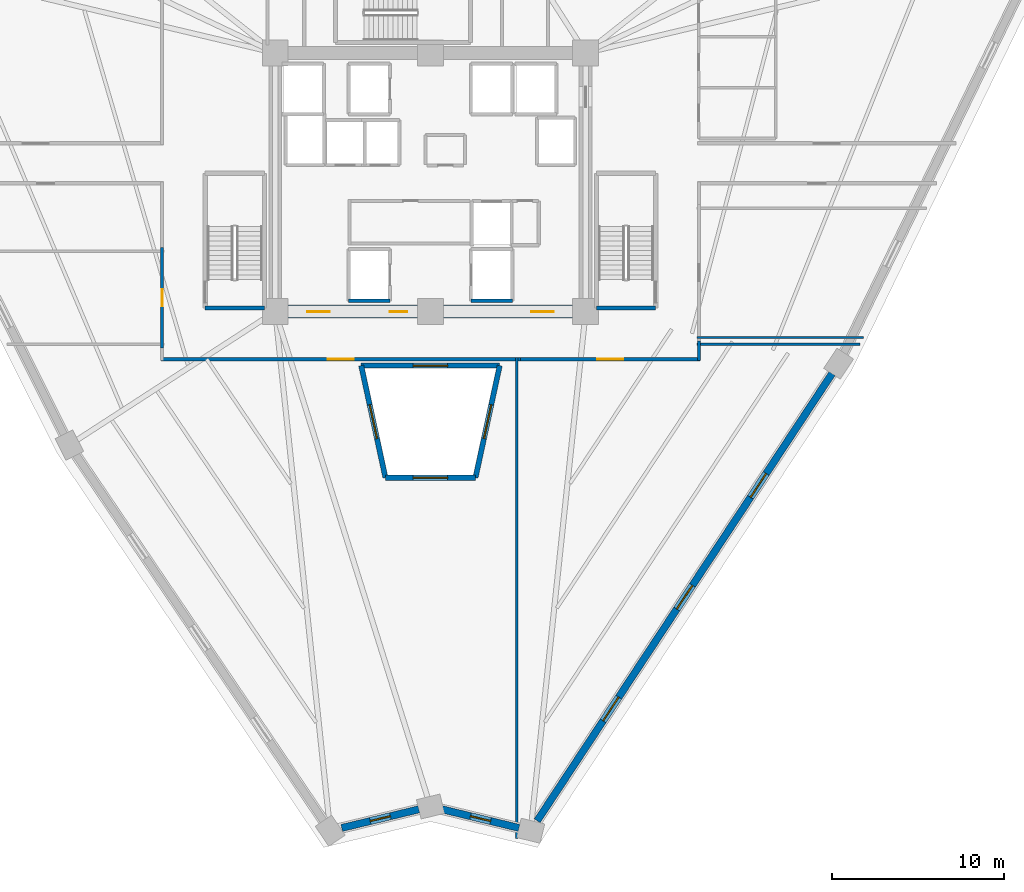
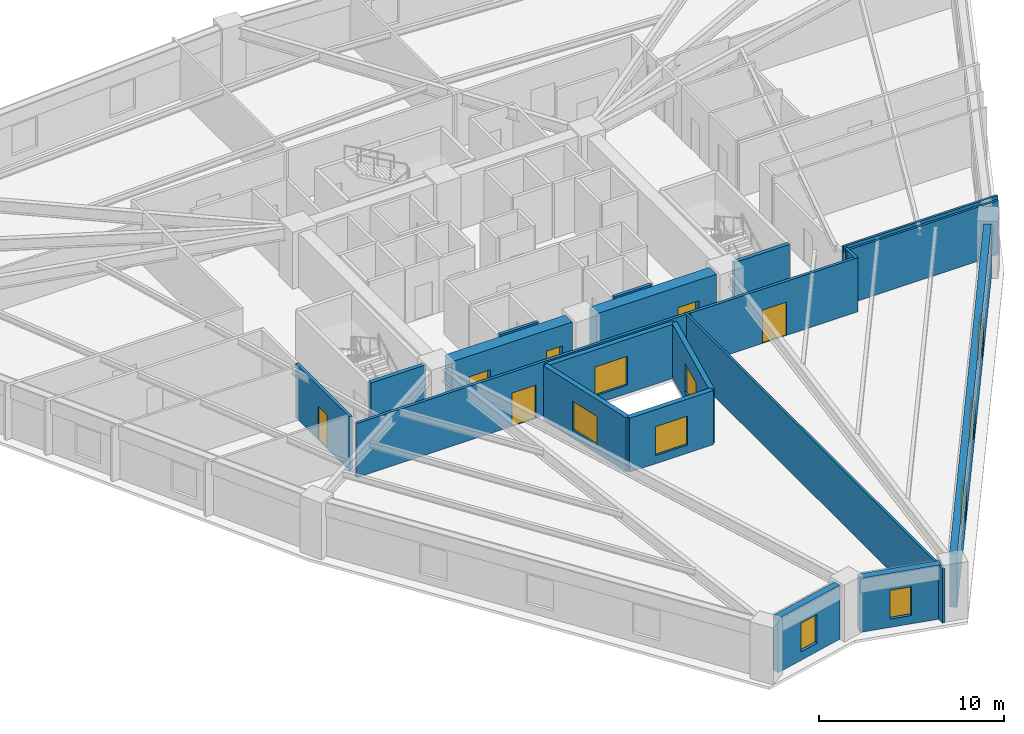
# One storey, part 3 of 8: 20 walls, 9 windows, 6 doors, 15 openings.
"""IFC4 building model written with IfcOpenShell, lengths in metres."""

from ifc_helpers import new_model, si_unit, direction, frame, frame_2d, origin, place, context, subcontext, project, spatial, rectangle, extrude, source, transform, mapped, material, layer, layer_set, type_object, element, fill, save


model = new_model("IFC4")

# Units and contexts
model_context = context("Model", 3, precision=1e-05, world=origin(), true_north=direction((0.0, 1.0)))
body_context = subcontext(model_context, "Body", "Model", "MODEL_VIEW")
ifc_project = project(units=[si_unit("LENGTHUNIT", "METRE"), si_unit("AREAUNIT", "SQUARE_METRE"), si_unit("VOLUMEUNIT", "CUBIC_METRE"), si_unit("PLANEANGLEUNIT", "RADIAN"), si_unit("MASSUNIT", "GRAM", prefix="KILO")], contexts=[model_context])

# Site, building, storey
site_placement = place(None, origin())
site = spatial("IfcSite", under=ifc_project, at=site_placement, CompositionType="ELEMENT")
building_placement = place(site_placement, origin())
building = spatial("IfcBuilding", under=site, at=building_placement, Name="Liaohun Quay Tower", CompositionType="ELEMENT")
storey_placement = place(building_placement, frame((0.0, 0.0, 147.75)))
storey = spatial("IfcBuildingStorey", under=building, at=storey_placement, Name="L38", CompositionType="ELEMENT", Elevation=147.75)

# Wall, opening, window
ifc_material_1 = material(Name="Concrete C50", Category="concrete")
ifc_layer_1 = layer(ifc_material_1, 0.300048828125, Name="Concrete C50", Category="concrete")
ifc_layer_set_1 = layer_set([ifc_layer_1], Name="Concrete C50")
wall_type_1 = type_object("IfcWallType", Name="WAL-ATR-300", PredefinedType="SOLIDWALL", material=ifc_layer_set_1)
wall_1_placement = place(storey_placement, frame((57.389892578125, 36.868896484375, 0.0), z_axis=(0.0, 0.0, 1.0), x_axis=(-0.21138112539, 0.97740371384, 0.0)))
wall_1 = element("IfcWall", 1, at=wall_1_placement, inside=storey, type_object=wall_type_1, Name="L38 Atrium Fire Compartment Wall 1", PredefinedType="SOLIDWALL", context=body_context, shape_type="SweptSolid", body=[
    extrude(rectangle(XDim=6.651611328125, YDim=0.300048828125, at=frame_2d((3.32568359375, 0.0))), origin(), (0.0, 0.0, 1.0), 3.570068359375),
])
shared_shape_1 = source(origin(), body_context, "Body", "SweptSolid", [
    extrude(rectangle(XDim=2.0, YDim=1.89990234375, at=frame_2d((1.0, 0.949951171875))), frame((0.0, 0.159912109375, 0.0), z_axis=(0.0, -1.0, 0.0), x_axis=(1.0, 0.0, 0.0)), (0.0, 0.0, 1.0), 0.320068359375),
])
opening_1_placement = place(wall_1_placement, frame((2.325927734375, 0.0, 0.550048828125)))
opening_1 = element("IfcOpeningElement", 2, at=opening_1_placement, cuts=wall_1, Name="Opening W07", PredefinedType="OPENING", context=body_context, shape_type="MappedRepresentation", body=[
    mapped(shared_shape_1, transform((0.0, 0.0, 0.0), x_axis=(1.0, 0.0, 0.0), y_axis=(0.0, 1.0, 0.0), z_axis=(0.0, 0.0, 1.0), scale=1.0)),
])
ifc_material_2 = material(Name="Class A 180-min fire-resistant insulated glazing", Category="glass")
window_type_1 = type_object("IfcWindowType", Name="WIN-ATR-FIR", PartitioningType="DOUBLE_PANEL_VERTICAL", PredefinedType="WINDOW", material=ifc_material_2)
shared_shape_2 = source(origin(), body_context, "Body", "SweptSolid", [
    extrude(rectangle(XDim=2.0, YDim=1.89990234375, at=frame_2d((1.0, 0.949951171875))), frame((0.0, 0.030029296875, 0.0), z_axis=(0.0, -1.0, 0.0), x_axis=(1.0, 0.0, 0.0)), (0.0, 0.0, 1.0), 0.06005859375),
])
window_1_placement = place(opening_1_placement, origin())
window_1 = element("IfcWindow", 3, at=window_1_placement, inside=storey, type_object=window_type_1, Name="L38 Atrium Fire-Resistant Glazing W07-1", OverallHeight=1.89990234375, OverallWidth=2.0, PartitioningType="DOUBLE_PANEL_VERTICAL", PredefinedType="WINDOW", context=body_context, shape_type="MappedRepresentation", body=[
    mapped(shared_shape_2, transform((0.0, 0.0, 0.0), x_axis=(1.0, 0.0, 0.0), y_axis=(0.0, 1.0, 0.0), z_axis=(0.0, 0.0, 1.0), scale=1.0)),
])
fill(opening_1, window_1)

wall_2_placement = place(storey_placement, frame((55.98388671875, 43.3701171875, 0.0), z_axis=(0.0, 0.0, 1.0), x_axis=(1.0, 0.0, 0.0)))
wall_2 = element("IfcWall", 4, at=wall_2_placement, inside=storey, type_object=wall_type_1, Name="L38 Atrium Fire Compartment Wall 2", PredefinedType="SOLIDWALL", context=body_context, shape_type="SweptSolid", body=[
    extrude(rectangle(XDim=8.0322265625, YDim=0.300048828125, at=frame_2d((4.01611328125, 0.0))), origin(), (0.0, 0.0, 1.0), 3.570068359375),
])
opening_2_placement = place(wall_2_placement, frame((3.01611328125, 0.0, 0.550048828125)))
opening_2 = element("IfcOpeningElement", 5, at=opening_2_placement, cuts=wall_2, Name="Opening W07", PredefinedType="OPENING", context=body_context, shape_type="MappedRepresentation", body=[
    mapped(shared_shape_1, transform((0.0, 0.0, 0.0), x_axis=(1.0, 0.0, 0.0), y_axis=(0.0, 1.0, 0.0), z_axis=(0.0, 0.0, 1.0), scale=1.0)),
])
window_2_placement = place(opening_2_placement, origin())
window_2 = element("IfcWindow", 6, at=window_2_placement, inside=storey, type_object=window_type_1, Name="L38 Atrium Fire-Resistant Glazing W07-2", OverallHeight=1.89990234375, OverallWidth=2.0, PartitioningType="DOUBLE_PANEL_VERTICAL", PredefinedType="WINDOW", context=body_context, shape_type="MappedRepresentation", body=[
    mapped(shared_shape_2, transform((0.0, 0.0, 0.0), x_axis=(1.0, 0.0, 0.0), y_axis=(0.0, 1.0, 0.0), z_axis=(0.0, 0.0, 1.0), scale=1.0)),
])
fill(opening_2, window_2)

wall_3_placement = place(storey_placement, frame((64.01611328125, 43.3701171875, 0.0), z_axis=(0.0, 0.0, 1.0), x_axis=(-0.21138112539, -0.97740371384, 0.0)))
wall_3 = element("IfcWall", 7, at=wall_3_placement, inside=storey, type_object=wall_type_1, Name="L38 Atrium Fire Compartment Wall 3", PredefinedType="SOLIDWALL", context=body_context, shape_type="SweptSolid", body=[
    extrude(rectangle(XDim=6.651611328125, YDim=0.300048828125, at=frame_2d((3.32568359375, 0.0))), origin(), (0.0, 0.0, 1.0), 3.570068359375),
])
opening_3_placement = place(wall_3_placement, frame((2.325927734375, 0.0, 0.550048828125)))
opening_3 = element("IfcOpeningElement", 8, at=opening_3_placement, cuts=wall_3, Name="Opening W07", PredefinedType="OPENING", context=body_context, shape_type="MappedRepresentation", body=[
    mapped(shared_shape_1, transform((0.0, 0.0, 0.0), x_axis=(1.0, 0.0, 0.0), y_axis=(0.0, 1.0, 0.0), z_axis=(0.0, 0.0, 1.0), scale=1.0)),
])
window_3_placement = place(opening_3_placement, origin())
window_3 = element("IfcWindow", 9, at=window_3_placement, inside=storey, type_object=window_type_1, Name="L38 Atrium Fire-Resistant Glazing W07-3", OverallHeight=1.89990234375, OverallWidth=2.0, PartitioningType="DOUBLE_PANEL_VERTICAL", PredefinedType="WINDOW", context=body_context, shape_type="MappedRepresentation", body=[
    mapped(shared_shape_2, transform((0.0, 0.0, 0.0), x_axis=(1.0, 0.0, 0.0), y_axis=(0.0, 1.0, 0.0), z_axis=(0.0, 0.0, 1.0), scale=1.0)),
])
fill(opening_3, window_3)

wall_4_placement = place(storey_placement, frame((62.610107421875, 36.868896484375, 0.0), z_axis=(0.0, 0.0, 1.0), x_axis=(-1.0, 0.0, 0.0)))
wall_4 = element("IfcWall", 10, at=wall_4_placement, inside=storey, type_object=wall_type_1, Name="L38 Atrium Fire Compartment Wall 4", PredefinedType="SOLIDWALL", context=body_context, shape_type="SweptSolid", body=[
    extrude(rectangle(XDim=5.22021484375, YDim=0.300048828125, at=frame_2d((2.610107421875, 0.0))), origin(), (0.0, 0.0, 1.0), 3.570068359375),
])
opening_4_placement = place(wall_4_placement, frame((1.610107421875, 0.0, 0.550048828125)))
opening_4 = element("IfcOpeningElement", 11, at=opening_4_placement, cuts=wall_4, Name="Opening W07", PredefinedType="OPENING", context=body_context, shape_type="MappedRepresentation", body=[
    mapped(shared_shape_1, transform((0.0, 0.0, 0.0), x_axis=(1.0, 0.0, 0.0), y_axis=(0.0, 1.0, 0.0), z_axis=(0.0, 0.0, 1.0), scale=1.0)),
])
window_4_placement = place(opening_4_placement, origin())
window_4 = element("IfcWindow", 12, at=window_4_placement, inside=storey, type_object=window_type_1, Name="L38 Atrium Fire-Resistant Glazing W07-4", OverallHeight=1.89990234375, OverallWidth=2.0, PartitioningType="DOUBLE_PANEL_VERTICAL", PredefinedType="WINDOW", context=body_context, shape_type="MappedRepresentation", body=[
    mapped(shared_shape_2, transform((0.0, 0.0, 0.0), x_axis=(1.0, 0.0, 0.0), y_axis=(0.0, 1.0, 0.0), z_axis=(0.0, 0.0, 1.0), scale=1.0)),
])
fill(opening_4, window_4)

# Wall, opening, door
ifc_material_3 = material(Name="Concrete C60", Category="concrete")
ifc_layer_2 = layer(ifc_material_3, 0.75, Name="Concrete C60", Category="concrete")
ifc_layer_set_2 = layer_set([ifc_layer_2], Name="Concrete C60")
wall_type_2 = type_object("IfcWallType", Name="WAL-COR-Z2", PredefinedType="SHEAR", material=ifc_layer_set_2)
wall_5_placement = place(storey_placement, frame((68.25, 46.5, 0.0), z_axis=(0.0, 0.0, 1.0), x_axis=(-1.0, 0.0, 0.0)))
wall_5 = element("IfcWall", 13, at=wall_5_placement, inside=storey, type_object=wall_type_2, Name="L38 Central Core Shear Wall S-E", PredefinedType="SHEAR", context=body_context, shape_type="SweptSolid", body=[
    extrude(rectangle(XDim=7.5, YDim=0.75, at=frame_2d((3.75, 0.0))), origin(), (0.0, 0.0, 1.0), 3.570068359375),
])
shared_shape_3 = source(origin(), body_context, "Body", "SweptSolid", [
    extrude(rectangle(XDim=1.300048828125, YDim=2.199951171875, at=frame_2d((0.64990234375, 1.10009765625))), frame((0.0, 0.385009765625, 0.0), z_axis=(0.0, -1.0, 0.0), x_axis=(1.0, 0.0, 0.0)), (0.0, 0.0, 1.0), 0.77001953125),
])
opening_5_placement = place(wall_5_placement, frame((1.10009765625, 0.0, 0.0)))
opening_5 = element("IfcOpeningElement", 14, at=opening_5_placement, cuts=wall_5, Name="Opening FD1", PredefinedType="OPENING", context=body_context, shape_type="MappedRepresentation", body=[
    mapped(shared_shape_3, transform((0.0, 0.0, 0.0), x_axis=(1.0, 0.0, 0.0), y_axis=(0.0, 1.0, 0.0), z_axis=(0.0, 0.0, 1.0), scale=1.0)),
])
ifc_material_4 = material(Name="Galvanised steel smokeproof fire door", Category="steel")
door_type_1 = type_object("IfcDoorType", Name="DOR-FFL-1300", OperationType="NOTDEFINED", PredefinedType="DOOR", material=ifc_material_4)
shared_shape_4 = source(origin(), body_context, "Body", "SweptSolid", [
    extrude(rectangle(XDim=1.300048828125, YDim=2.199951171875, at=frame_2d((0.64990234375, 1.10009765625))), frame((0.0, 0.02490234375, 0.0), z_axis=(0.0, -1.0, 0.0), x_axis=(1.0, 0.0, 0.0)), (0.0, 0.0, 1.0), 0.050048828125),
])
door_1_placement = place(opening_5_placement, origin())
door_1 = element("IfcDoor", 15, at=door_1_placement, inside=storey, type_object=door_type_1, Name="L38 East Core Lift Lobby Smokeproof Door", OperationType="SINGLE_SWING_LEFT", OverallHeight=2.199951171875, OverallWidth=1.300048828125, PredefinedType="DOOR", context=body_context, shape_type="MappedRepresentation", body=[
    mapped(shared_shape_4, transform((0.0, 0.0, 0.0), x_axis=(1.0, 0.0, 0.0), y_axis=(0.0, 1.0, 0.0), z_axis=(0.0, 0.0, 1.0), scale=1.0)),
])
fill(opening_5, door_1)

# Wall, openings, doors
wall_6_placement = place(storey_placement, frame((59.25, 46.5, 0.0), z_axis=(0.0, 0.0, 1.0), x_axis=(-1.0, 0.0, 0.0)))
wall_6 = element("IfcWall", 16, at=wall_6_placement, inside=storey, type_object=wall_type_2, Name="L38 Central Core Shear Wall S-W", PredefinedType="SHEAR", context=body_context, shape_type="SweptSolid", body=[
    extrude(rectangle(XDim=7.5, YDim=0.75, at=frame_2d((3.75, 0.0))), origin(), (0.0, 0.0, 1.0), 3.570068359375),
])
opening_6_placement = place(wall_6_placement, frame((5.10009765625, 0.0, 0.0)))
opening_6 = element("IfcOpeningElement", 17, at=opening_6_placement, cuts=wall_6, Name="Opening FD1", PredefinedType="OPENING", context=body_context, shape_type="MappedRepresentation", body=[
    mapped(shared_shape_3, transform((0.0, 0.0, 0.0), x_axis=(1.0, 0.0, 0.0), y_axis=(0.0, 1.0, 0.0), z_axis=(0.0, 0.0, 1.0), scale=1.0)),
])
shared_shape_5 = source(origin(), body_context, "Body", "SweptSolid", [
    extrude(rectangle(XDim=1.0, YDim=2.199951171875, at=frame_2d((0.5, 1.10009765625))), frame((0.0, 0.385009765625, 0.0), z_axis=(0.0, -1.0, 0.0), x_axis=(1.0, 0.0, 0.0)), (0.0, 0.0, 1.0), 0.77001953125),
])
opening_7_placement = place(wall_6_placement, frame((0.60009765625, 0.0, 0.0)))
opening_7 = element("IfcOpeningElement", 18, at=opening_7_placement, cuts=wall_6, Name="Opening FD2", PredefinedType="OPENING", context=body_context, shape_type="MappedRepresentation", body=[
    mapped(shared_shape_5, transform((0.0, 0.0, 0.0), x_axis=(1.0, 0.0, 0.0), y_axis=(0.0, 1.0, 0.0), z_axis=(0.0, 0.0, 1.0), scale=1.0)),
])
door_2_placement = place(opening_6_placement, origin())
door_2 = element("IfcDoor", 19, at=door_2_placement, inside=storey, type_object=door_type_1, Name="L38 West Core Lift Lobby Smokeproof Door", OperationType="SINGLE_SWING_RIGHT", OverallHeight=2.199951171875, OverallWidth=1.300048828125, PredefinedType="DOOR", context=body_context, shape_type="MappedRepresentation", body=[
    mapped(shared_shape_4, transform((0.0, 0.0, 0.0), x_axis=(1.0, 0.0, 0.0), y_axis=(0.0, 1.0, 0.0), z_axis=(0.0, 0.0, 1.0), scale=1.0)),
])
fill(opening_6, door_2)
ifc_material_5 = material(Name="Galvanised steel smokeproof lobby fire door", Category="steel")
door_type_2 = type_object("IfcDoorType", Name="DOR-FFL-1000", OperationType="NOTDEFINED", PredefinedType="DOOR", material=ifc_material_5)
shared_shape_6 = source(origin(), body_context, "Body", "SweptSolid", [
    extrude(rectangle(XDim=1.0, YDim=2.199951171875, at=frame_2d((0.5, 1.10009765625))), frame((0.0, 0.02490234375, 0.0), z_axis=(0.0, -1.0, 0.0), x_axis=(1.0, 0.0, 0.0)), (0.0, 0.0, 1.0), 0.050048828125),
])
door_3_placement = place(opening_7_placement, origin())
door_3 = element("IfcDoor", 20, at=door_3_placement, inside=storey, type_object=door_type_2, Name="L38 South Firefighting Lobby Smokeproof Door", OperationType="SINGLE_SWING_LEFT", OverallHeight=2.199951171875, OverallWidth=1.0, PredefinedType="DOOR", context=body_context, shape_type="MappedRepresentation", body=[
    mapped(shared_shape_6, transform((0.0, 0.0, 0.0), x_axis=(1.0, 0.0, 0.0), y_axis=(0.0, 1.0, 0.0), z_axis=(0.0, 0.0, 1.0), scale=1.0)),
])
fill(opening_7, door_3)

# Wall, opening, window
ifc_material_6 = material(Name="Precast concrete C50 insulated sandwich", Category="concrete")
ifc_layer_3 = layer(ifc_material_6, 0.419921875, Name="Precast concrete C50 insulated sandwich", Category="concrete")
ifc_layer_set_3 = layer_set([ifc_layer_3], Name="Precast concrete C50 insulated sandwich")
wall_type_3 = type_object("IfcWallType", Name="WAL-EXT-Z12", PredefinedType="SOLIDWALL", material=ifc_layer_set_3)
wall_7_placement = place(storey_placement, frame((60.6708984375, 17.639892578125, 0.0), z_axis=(0.0, 0.0, 1.0), x_axis=(0.972040399781, -0.234813673352, 0.0)))
wall_7 = element("IfcWall", 21, at=wall_7_placement, inside=storey, type_object=wall_type_3, Name="L38 Brutalist Precast Pier Wall 01", PredefinedType="SOLIDWALL", context=body_context, shape_type="SweptSolid", body=[
    extrude(rectangle(XDim=4.594482421875, YDim=0.419921875, at=frame_2d((2.29736328125, 0.0))), origin(), (0.0, 0.0, 1.0), 3.570068359375),
])
shared_shape_7 = source(origin(), body_context, "Body", "SweptSolid", [
    extrude(rectangle(XDim=1.199951171875, YDim=1.89990234375, at=frame_2d((0.60009765625, 0.949951171875))), frame((0.0, 0.219970703125, 0.0), z_axis=(0.0, -1.0, 0.0), x_axis=(1.0, 0.0, 0.0)), (0.0, 0.0, 1.0), 0.43994140625),
])
opening_8_placement = place(wall_7_placement, frame((1.697021484375, 0.0, 0.550048828125)))
opening_8 = element("IfcOpeningElement", 22, at=opening_8_placement, cuts=wall_7, Name="Opening W05", PredefinedType="OPENING", context=body_context, shape_type="MappedRepresentation", body=[
    mapped(shared_shape_7, transform((0.0, 0.0, 0.0), x_axis=(1.0, 0.0, 0.0), y_axis=(0.0, 1.0, 0.0), z_axis=(0.0, 0.0, 1.0), scale=1.0)),
])
ifc_material_7 = material(Name="Triple Low-E corner notch glazing", Category="glass")
window_type_2 = type_object("IfcWindowType", Name="WIN-NOTCH", PartitioningType="SINGLE_PANEL", PredefinedType="WINDOW", material=ifc_material_7)
shared_shape_8 = source(origin(), body_context, "Body", "SweptSolid", [
    extrude(rectangle(XDim=1.199951171875, YDim=1.89990234375, at=frame_2d((0.60009765625, 0.949951171875))), frame((0.0, 0.030029296875, 0.0), z_axis=(0.0, -1.0, 0.0), x_axis=(1.0, 0.0, 0.0)), (0.0, 0.0, 1.0), 0.06005859375),
])
window_5_placement = place(opening_8_placement, origin())
window_5 = element("IfcWindow", 23, at=window_5_placement, inside=storey, type_object=window_type_2, Name="L38 Corner Notch Window W05-01", OverallHeight=1.89990234375, OverallWidth=1.199951171875, PartitioningType="SINGLE_PANEL", PredefinedType="WINDOW", context=body_context, shape_type="MappedRepresentation", body=[
    mapped(shared_shape_8, transform((0.0, 0.0, 0.0), x_axis=(1.0, 0.0, 0.0), y_axis=(0.0, 1.0, 0.0), z_axis=(0.0, 0.0, 1.0), scale=1.0)),
])
fill(opening_8, window_5)

# Wall, openings, windows
wall_8_placement = place(storey_placement, frame((66.18798828125, 16.97509765625, 0.0), z_axis=(0.0, 0.0, 1.0), x_axis=(0.550486590195, 0.834844005797, 0.0)))
wall_8 = element("IfcWall", 24, at=wall_8_placement, inside=storey, type_object=wall_type_3, Name="L38 Brutalist Precast Pier Wall 02", PredefinedType="SOLIDWALL", context=body_context, shape_type="SweptSolid", body=[
    extrude(rectangle(XDim=31.0595703125, YDim=0.419921875, at=frame_2d((15.52978515625, 0.0))), origin(), (0.0, 0.0, 1.0), 3.570068359375),
])
shared_shape_9 = source(origin(), body_context, "Body", "SweptSolid", [
    extrude(rectangle(XDim=1.64990234375, YDim=1.949951171875, at=frame_2d((0.824951171875, 0.97509765625))), frame((0.0, 0.219970703125, 0.0), z_axis=(0.0, -1.0, 0.0), x_axis=(1.0, 0.0, 0.0)), (0.0, 0.0, 1.0), 0.43994140625),
])
opening_9_placement = place(wall_8_placement, frame((6.93994140625, 0.0, 0.550048828125)))
opening_9 = element("IfcOpeningElement", 25, at=opening_9_placement, cuts=wall_8, Name="Opening W02", PredefinedType="OPENING", context=body_context, shape_type="MappedRepresentation", body=[
    mapped(shared_shape_9, transform((0.0, 0.0, 0.0), x_axis=(1.0, 0.0, 0.0), y_axis=(0.0, 1.0, 0.0), z_axis=(0.0, 0.0, 1.0), scale=1.0)),
])
opening_10_placement = place(wall_8_placement, frame((14.705078125, 0.0, 0.550048828125)))
opening_10 = element("IfcOpeningElement", 26, at=opening_10_placement, cuts=wall_8, Name="Opening W02", PredefinedType="OPENING", context=body_context, shape_type="MappedRepresentation", body=[
    mapped(shared_shape_9, transform((0.0, 0.0, 0.0), x_axis=(1.0, 0.0, 0.0), y_axis=(0.0, 1.0, 0.0), z_axis=(0.0, 0.0, 1.0), scale=1.0)),
])
opening_11_placement = place(wall_8_placement, frame((22.469970703125, 0.0, 0.550048828125)))
opening_11 = element("IfcOpeningElement", 27, at=opening_11_placement, cuts=wall_8, Name="Opening W02", PredefinedType="OPENING", context=body_context, shape_type="MappedRepresentation", body=[
    mapped(shared_shape_9, transform((0.0, 0.0, 0.0), x_axis=(1.0, 0.0, 0.0), y_axis=(0.0, 1.0, 0.0), z_axis=(0.0, 0.0, 1.0), scale=1.0)),
])
ifc_material_8 = material(Name="Triple Low-E argon glazing in thermally broken aluminium", Category="aluminium")
window_type_3 = type_object("IfcWindowType", Name="WIN-PUN-Z2", PartitioningType="DOUBLE_PANEL_VERTICAL", PredefinedType="WINDOW", material=ifc_material_8)
shared_shape_10 = source(origin(), body_context, "Body", "SweptSolid", [
    extrude(rectangle(XDim=1.64990234375, YDim=1.949951171875, at=frame_2d((0.824951171875, 0.97509765625))), frame((0.0, 0.030029296875, 0.0), z_axis=(0.0, -1.0, 0.0), x_axis=(1.0, 0.0, 0.0)), (0.0, 0.0, 1.0), 0.06005859375),
])
window_6_placement = place(opening_9_placement, origin())
window_6 = element("IfcWindow", 28, at=window_6_placement, inside=storey, type_object=window_type_3, Name="L38 Recessed Cold-Climate Punched Window 02-1", OverallHeight=1.949951171875, OverallWidth=1.64990234375, PartitioningType="DOUBLE_PANEL_VERTICAL", PredefinedType="WINDOW", context=body_context, shape_type="MappedRepresentation", body=[
    mapped(shared_shape_10, transform((0.0, 0.0, 0.0), x_axis=(1.0, 0.0, 0.0), y_axis=(0.0, 1.0, 0.0), z_axis=(0.0, 0.0, 1.0), scale=1.0)),
])
fill(opening_9, window_6)
window_7_placement = place(opening_10_placement, origin())
window_7 = element("IfcWindow", 29, at=window_7_placement, inside=storey, type_object=window_type_3, Name="L38 Recessed Cold-Climate Punched Window 02-2", OverallHeight=1.949951171875, OverallWidth=1.64990234375, PartitioningType="DOUBLE_PANEL_VERTICAL", PredefinedType="WINDOW", context=body_context, shape_type="MappedRepresentation", body=[
    mapped(shared_shape_10, transform((0.0, 0.0, 0.0), x_axis=(1.0, 0.0, 0.0), y_axis=(0.0, 1.0, 0.0), z_axis=(0.0, 0.0, 1.0), scale=1.0)),
])
fill(opening_10, window_7)
window_8_placement = place(opening_11_placement, origin())
window_8 = element("IfcWindow", 30, at=window_8_placement, inside=storey, type_object=window_type_3, Name="L38 Recessed Cold-Climate Punched Window 02-3", OverallHeight=1.949951171875, OverallWidth=1.64990234375, PartitioningType="DOUBLE_PANEL_VERTICAL", PredefinedType="WINDOW", context=body_context, shape_type="MappedRepresentation", body=[
    mapped(shared_shape_10, transform((0.0, 0.0, 0.0), x_axis=(1.0, 0.0, 0.0), y_axis=(0.0, 1.0, 0.0), z_axis=(0.0, 0.0, 1.0), scale=1.0)),
])
fill(opening_11, window_8)

# Wall, opening, window
wall_9_placement = place(storey_placement, frame((54.85595703125, 16.56005859375, 0.0), z_axis=(0.0, 0.0, 1.0), x_axis=(0.972076783572, 0.234663006972, 0.0)))
wall_9 = element("IfcWall", 31, at=wall_9_placement, inside=storey, type_object=wall_type_3, Name="L38 Brutalist Precast Pier Wall 12", PredefinedType="SOLIDWALL", context=body_context, shape_type="SweptSolid", body=[
    extrude(rectangle(XDim=4.6015625, YDim=0.419921875, at=frame_2d((2.30078125, 0.0))), origin(), (0.0, 0.0, 1.0), 3.570068359375),
])
opening_12_placement = place(wall_9_placement, frame((1.700927734375, 0.0, 0.550048828125)))
opening_12 = element("IfcOpeningElement", 32, at=opening_12_placement, cuts=wall_9, Name="Opening W05", PredefinedType="OPENING", context=body_context, shape_type="MappedRepresentation", body=[
    mapped(shared_shape_7, transform((0.0, 0.0, 0.0), x_axis=(1.0, 0.0, 0.0), y_axis=(0.0, 1.0, 0.0), z_axis=(0.0, 0.0, 1.0), scale=1.0)),
])
window_9_placement = place(opening_12_placement, origin())
window_9 = element("IfcWindow", 33, at=window_9_placement, inside=storey, type_object=window_type_2, Name="L38 Corner Notch Window W05-12", OverallHeight=1.89990234375, OverallWidth=1.199951171875, PartitioningType="SINGLE_PANEL", PredefinedType="WINDOW", context=body_context, shape_type="MappedRepresentation", body=[
    mapped(shared_shape_8, transform((0.0, 0.0, 0.0), x_axis=(1.0, 0.0, 0.0), y_axis=(0.0, 1.0, 0.0), z_axis=(0.0, 0.0, 1.0), scale=1.0)),
])
fill(opening_12, window_9)

# Wall, opening, door
ifc_material_9 = material(Name="Autoclaved aerated concrete blockwork", Category="masonry")
ifc_layer_4 = layer(ifc_material_9, 0.179931640625, Name="Autoclaved aerated concrete blockwork", Category="masonry")
ifc_layer_set_4 = layer_set([ifc_layer_4], Name="Autoclaved aerated concrete blockwork")
wall_type_4 = type_object("IfcWallType", Name="WAL-PRT-COR", PredefinedType="PARTITIONING", material=ifc_layer_set_4)
wall_10_placement = place(storey_placement, frame((44.43994140625, 44.385009765625, 0.0), z_axis=(0.0, 0.0, 1.0), x_axis=(0.0, 1.0, 0.0)))
wall_10 = element("IfcWall", 34, at=wall_10_placement, inside=storey, type_object=wall_type_4, Name="L38 Interior Partition Wall 017", PredefinedType="PARTITIONING", context=body_context, shape_type="SweptSolid", body=[
    extrude(rectangle(XDim=5.830078125, YDim=0.179931640625, at=frame_2d((2.9150390625, 0.0))), origin(), (0.0, 0.0, 1.0), 3.570068359375),
])
shared_shape_11 = source(origin(), body_context, "Body", "SweptSolid", [
    extrude(rectangle(XDim=1.0, YDim=2.199951171875, at=frame_2d((0.5, 1.10009765625))), frame((0.0, 0.099853515625, 0.0), z_axis=(0.0, -1.0, 0.0), x_axis=(1.0, 0.0, 0.0)), (0.0, 0.0, 1.0), 0.199951171875),
])
opening_13_placement = place(wall_10_placement, frame((2.4150390625, 0.0, 0.0)))
opening_13 = element("IfcOpeningElement", 35, at=opening_13_placement, cuts=wall_10, Name="Opening OD1", PredefinedType="OPENING", context=body_context, shape_type="MappedRepresentation", body=[
    mapped(shared_shape_11, transform((0.0, 0.0, 0.0), x_axis=(1.0, 0.0, 0.0), y_axis=(0.0, 1.0, 0.0), z_axis=(0.0, 0.0, 1.0), scale=1.0)),
])
ifc_material_10 = material(Name="Solid-core oak veneer timber leaf in steel frame", Category="steel")
door_type_3 = type_object("IfcDoorType", Name="DOR-OFF-1000", OperationType="NOTDEFINED", PredefinedType="DOOR", material=ifc_material_10)
door_4_placement = place(opening_13_placement, origin())
door_4 = element("IfcDoor", 36, at=door_4_placement, inside=storey, type_object=door_type_3, Name="L38 Technical Reference Library 07 Door", OperationType="SINGLE_SWING_LEFT", OverallHeight=2.199951171875, OverallWidth=1.0, PredefinedType="DOOR", context=body_context, shape_type="MappedRepresentation", body=[
    mapped(shared_shape_6, transform((0.0, 0.0, 0.0), x_axis=(1.0, 0.0, 0.0), y_axis=(0.0, 1.0, 0.0), z_axis=(0.0, 0.0, 1.0), scale=1.0)),
])
fill(opening_13, door_4)

wall_11_placement = place(storey_placement, frame((65.215087890625, 43.739990234375, 0.0), z_axis=(0.0, 0.0, 1.0), x_axis=(-1.0, 0.0, 0.0)))
wall_11 = element("IfcWall", 37, at=wall_11_placement, inside=storey, type_object=wall_type_4, Name="L38 Interior Partition Wall 018", PredefinedType="PARTITIONING", context=body_context, shape_type="SweptSolid", body=[
    extrude(rectangle(XDim=20.844970703125, YDim=0.179931640625, at=frame_2d((10.42236328125, 0.0))), origin(), (0.0, 0.0, 1.0), 3.570068359375),
])
shared_shape_12 = source(origin(), body_context, "Body", "SweptSolid", [
    extrude(rectangle(XDim=1.5, YDim=2.199951171875, at=frame_2d((0.75, 1.10009765625))), frame((0.0, 0.099853515625, 0.0), z_axis=(0.0, -1.0, 0.0), x_axis=(1.0, 0.0, 0.0)), (0.0, 0.0, 1.0), 0.199951171875),
])
opening_14_placement = place(wall_11_placement, frame((9.673095703125, 0.0, 0.0)))
opening_14 = element("IfcOpeningElement", 38, at=opening_14_placement, cuts=wall_11, Name="Opening OD2", PredefinedType="OPENING", context=body_context, shape_type="MappedRepresentation", body=[
    mapped(shared_shape_12, transform((0.0, 0.0, 0.0), x_axis=(1.0, 0.0, 0.0), y_axis=(0.0, 1.0, 0.0), z_axis=(0.0, 0.0, 1.0), scale=1.0)),
])
ifc_material_11 = material(Name="Acoustic oak veneer double door")
door_type_4 = type_object("IfcDoorType", Name="DOR-OFF-1500", OperationType="DOUBLE_DOOR_SINGLE_SWING", PredefinedType="DOOR", material=ifc_material_11)
shared_shape_13 = source(origin(), body_context, "Body", "SweptSolid", [
    extrude(rectangle(XDim=1.5, YDim=2.199951171875, at=frame_2d((0.75, 1.10009765625))), frame((0.0, 0.02490234375, 0.0), z_axis=(0.0, -1.0, 0.0), x_axis=(1.0, 0.0, 0.0)), (0.0, 0.0, 1.0), 0.050048828125),
])
door_5_placement = place(opening_14_placement, origin())
door_5 = element("IfcDoor", 39, at=door_5_placement, inside=storey, type_object=door_type_4, Name="L38 Occupational Wellness Clinic 08 Door", OperationType="DOUBLE_DOOR_SINGLE_SWING", OverallHeight=2.199951171875, OverallWidth=1.5, PredefinedType="DOOR", context=body_context, shape_type="MappedRepresentation", body=[
    mapped(shared_shape_13, transform((0.0, 0.0, 0.0), x_axis=(1.0, 0.0, 0.0), y_axis=(0.0, 1.0, 0.0), z_axis=(0.0, 0.0, 1.0), scale=1.0)),
])
fill(opening_14, door_5)

wall_12_placement = place(storey_placement, frame((75.6298828125, 43.739990234375, 0.0), z_axis=(0.0, 0.0, 1.0), x_axis=(-1.0, 0.0, 0.0)))
wall_12 = element("IfcWall", 40, at=wall_12_placement, inside=storey, type_object=wall_type_4, Name="L38 Interior Partition Wall 019", PredefinedType="PARTITIONING", context=body_context, shape_type="SweptSolid", body=[
    extrude(rectangle(XDim=10.414794921875, YDim=0.179931640625, at=frame_2d((5.20751953125, 0.0))), origin(), (0.0, 0.0, 1.0), 3.570068359375),
])
opening_15_placement = place(wall_12_placement, frame((4.45703125, 0.0, 0.0)))
opening_15 = element("IfcOpeningElement", 41, at=opening_15_placement, cuts=wall_12, Name="Opening OD2", PredefinedType="OPENING", context=body_context, shape_type="MappedRepresentation", body=[
    mapped(shared_shape_12, transform((0.0, 0.0, 0.0), x_axis=(1.0, 0.0, 0.0), y_axis=(0.0, 1.0, 0.0), z_axis=(0.0, 0.0, 1.0), scale=1.0)),
])
door_6_placement = place(opening_15_placement, origin())
door_6 = element("IfcDoor", 42, at=door_6_placement, inside=storey, type_object=door_type_4, Name="L38 Records Archive Store 09 Door", OperationType="DOUBLE_DOOR_SINGLE_SWING", OverallHeight=2.199951171875, OverallWidth=1.5, PredefinedType="DOOR", context=body_context, shape_type="MappedRepresentation", body=[
    mapped(shared_shape_13, transform((0.0, 0.0, 0.0), x_axis=(1.0, 0.0, 0.0), y_axis=(0.0, 1.0, 0.0), z_axis=(0.0, 0.0, 1.0), scale=1.0)),
])
fill(opening_15, door_6)

# Walls
wall_13_placement = place(storey_placement, frame((75.56005859375, 44.784912109375, 0.0), z_axis=(0.0, 0.0, 1.0), x_axis=(0.0, -1.0, 0.0)))
element("IfcWall", 43, at=wall_13_placement, inside=storey, type_object=wall_type_4, Name="L38 Interior Partition Wall 042", PredefinedType="PARTITIONING", context=body_context, shape_type="SweptSolid", body=[
    extrude(rectangle(XDim=1.114990234375, YDim=0.179931640625, at=frame_2d((0.5576171875, 0.0))), origin(), (0.0, 0.0, 1.0), 3.570068359375),
])
ifc_material_12 = material(Name="Gypsum board on twin steel studs", Category="steel")
ifc_layer_5 = layer(ifc_material_12, 0.139892578125, Name="Gypsum board on twin steel studs", Category="steel")
ifc_layer_set_5 = layer_set([ifc_layer_5], Name="Gypsum board on twin steel studs")
wall_type_5 = type_object("IfcWallType", Name="WAL-PRT-OFF", PredefinedType="PARTITIONING", material=ifc_layer_set_5)
wall_14_placement = place(storey_placement, frame((75.4599609375, 44.60009765625, 0.0), z_axis=(0.0, 0.0, 1.0), x_axis=(1.0, 0.0, 0.0)))
element("IfcWall", 44, at=wall_14_placement, inside=storey, type_object=wall_type_5, Name="L38 Interior Partition Wall 047", PredefinedType="PARTITIONING", context=body_context, shape_type="SweptSolid", body=[
    extrude(rectangle(XDim=9.450927734375, YDim=0.139892578125, at=frame_2d((4.7255859375, 0.0))), origin(), (0.0, 0.0, 1.0), 3.570068359375),
])
wall_15_placement = place(storey_placement, frame((75.4599609375, 45.0, 0.0), z_axis=(0.0, 0.0, 1.0), x_axis=(1.0, 0.0, 0.0)))
element("IfcWall", 45, at=wall_15_placement, inside=storey, type_object=wall_type_5, Name="L38 Interior Partition Wall 048", PredefinedType="PARTITIONING", context=body_context, shape_type="SweptSolid", body=[
    extrude(rectangle(XDim=9.64501953125, YDim=0.139892578125, at=frame_2d((4.822509765625, 0.0))), origin(), (0.0, 0.0, 1.0), 3.570068359375),
])
wall_16_placement = place(storey_placement, frame((65.0, 43.840087890625, 0.0), z_axis=(0.0, 0.0, 1.0), x_axis=(0.0, -1.0, 0.0)))
element("IfcWall", 46, at=wall_16_placement, inside=storey, type_object=wall_type_5, Name="L38 Interior Partition Wall 053", PredefinedType="PARTITIONING", context=body_context, shape_type="SweptSolid", body=[
    extrude(rectangle(XDim=27.89306640625, YDim=0.139892578125, at=frame_2d((13.946533203125, 0.0))), origin(), (0.0, 0.0, 1.0), 3.570068359375),
])
ifc_layer_6 = layer(ifc_material_1, 0.239990234375, Name="Concrete C50", Category="concrete")
ifc_layer_set_6 = layer_set([ifc_layer_6], Name="Concrete C50")
wall_type_6 = type_object("IfcWallType", Name="WAL-SHF-200", PredefinedType="SOLIDWALL", material=ifc_layer_set_6)
for number, where, z_axis, x_axis, name in (
    (47, (46.93994140625, 46.699951171875, 0.0), (0.0, 0.0, 1.0), (1.0, 0.0, 0.0), "L38 Stairwell ST-1 Structural Core Wall S"),
    (48, (69.6201171875, 46.699951171875, 0.0), (0.0, 0.0, 1.0), (1.0, 0.0, 0.0), "L38 Stairwell ST-2 Structural Core Wall S"),
):
    element("IfcWall", number, at=place(storey_placement, frame(where, z_axis=z_axis, x_axis=x_axis)), inside=storey, type_object=wall_type_6, Name=name, PredefinedType="SOLIDWALL", context=body_context, shape_type="SweptSolid", body=[
        extrude(rectangle(XDim=3.43994140625, YDim=0.239990234375, at=frame_2d((1.719970703125, 0.0))), origin(), (0.0, 0.0, 1.0), 3.570068359375),
    ])
for number, where, z_axis, x_axis, name in (
    (49, (55.25, 47.1201171875, 0.0), (0.0, 0.0, 1.0), (1.0, 0.0, 0.0), "L38 Lift FF-01 Hoistway Wall S"),
    (50, (62.35009765625, 47.1201171875, 0.0), (0.0, 0.0, 1.0), (1.0, 0.0, 0.0), "L38 Lift FF-02 Hoistway Wall S"),
):
    element("IfcWall", number, at=place(storey_placement, frame(where, z_axis=z_axis, x_axis=x_axis)), inside=storey, type_object=wall_type_6, Name=name, PredefinedType="SOLIDWALL", context=body_context, shape_type="SweptSolid", body=[
        extrude(rectangle(XDim=2.39990234375, YDim=0.199951171875, at=frame_2d((1.199951171875, 0.0))), origin(), (0.0, 0.0, 1.0), 3.570068359375),
    ])

save(model, "model.ifc")
